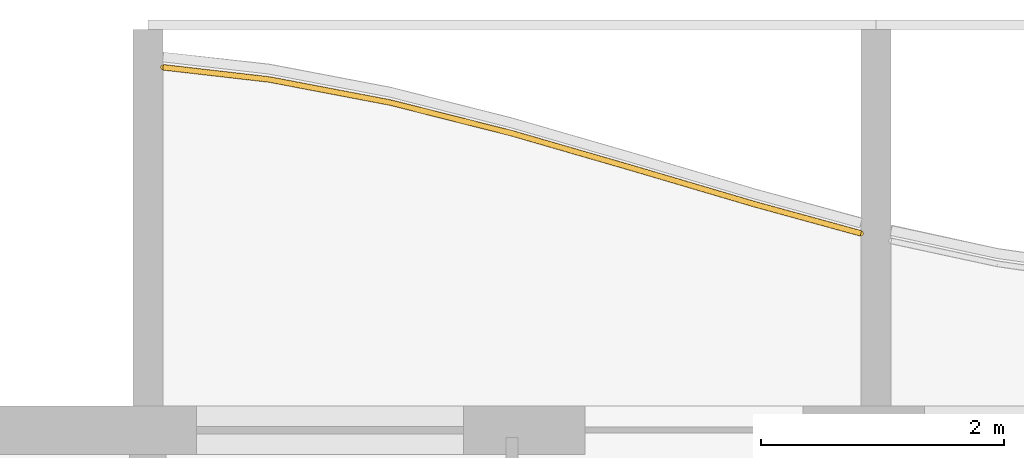
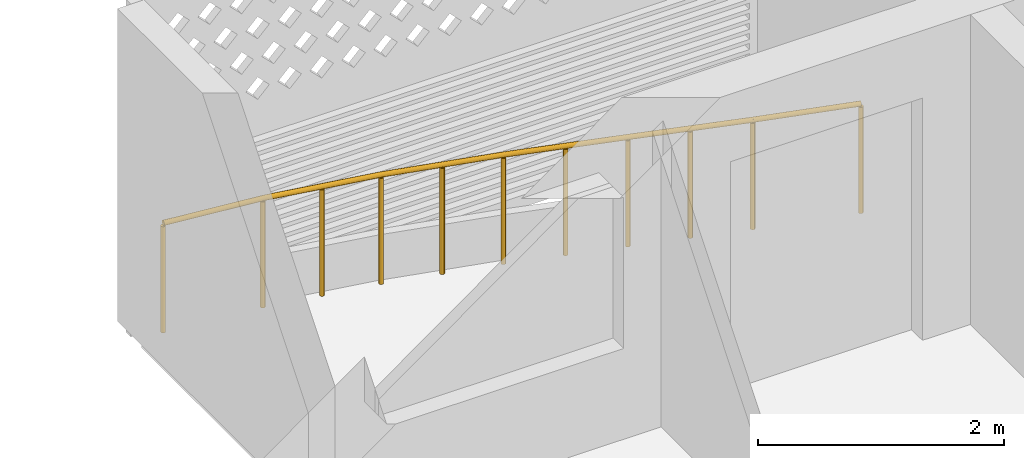
# One storey, part 16 of 31: 1 railing.
"""IFC4 building model written with IfcOpenShell, lengths in metres."""

from ifc_helpers import new_model, si_unit, direction, frame, origin, origin_2d, place, context, subcontext, project, spatial, circle, extrude, material, type_object, element, save


model = new_model("IFC4")

# Units and contexts
model_context = context("Model", 3, precision=1e-05, world=origin(), true_north=direction((0.0, 1.0)))
body_context = subcontext(model_context, "Body", "Model", "MODEL_VIEW")
ifc_project = project(units=[si_unit("LENGTHUNIT", "METRE"), si_unit("AREAUNIT", "SQUARE_METRE"), si_unit("VOLUMEUNIT", "CUBIC_METRE"), si_unit("PLANEANGLEUNIT", "RADIAN"), si_unit("MASSUNIT", "GRAM", prefix="KILO")], contexts=[model_context])

# Site, building, storey
site_placement = place(None, origin())
site = spatial("IfcSite", under=ifc_project, at=site_placement, CompositionType="ELEMENT")
building_placement = place(site_placement, origin())
building = spatial("IfcBuilding", under=site, at=building_placement, Name="Poui Terraces", CompositionType="ELEMENT")
storey_placement = place(building_placement, frame((0.0, 0.0, 145.5)))
storey = spatial("IfcBuildingStorey", under=building, at=storey_placement, Name="L40", CompositionType="ELEMENT", Elevation=145.5)

# Railing
ifc_material = material(Name="Painted steel fretwork", Category="steel")
railing_type = type_object("IfcRailingType", Name="BALCONY GUARD 1100", PredefinedType="GUARDRAIL", material=ifc_material)
railing_placement = place(storey_placement, frame((18.125, 45.39013671875, 0.0)))
element("IfcRailing", 1, at=railing_placement, inside=storey, type_object=railing_type, Name="BALCONY GUARD", PredefinedType="GUARDRAIL", context=body_context, shape_type="SweptSolid", body=[
    extrude(circle(Radius=0.02392578125, at=origin_2d()), frame((0.0, 0.0, 1.076171875), z_axis=(0.99348881845, -0.113929660821, 0.0), x_axis=(0.113929660821, 0.99348881845, 0.0)), (0.0, 0.0, 1.0), 0.880615234375),
    extrude(circle(Radius=0.02392578125, at=origin_2d()), frame((0.875, -0.100341796875, 1.076171875), z_axis=(0.982302864177, -0.187299447491, 0.0), x_axis=(0.187299447491, 0.982302864177, 0.0)), (0.0, 0.0, 1.0), 1.01806640625),
    extrude(circle(Radius=0.02392578125, at=origin_2d()), frame((1.875, -0.291015625, 1.076171875), z_axis=(0.969470524151, -0.245207876714, 0.0), x_axis=(0.245207876714, 0.969470524151, 0.0)), (0.0, 0.0, 1.0), 1.031494140625),
    extrude(circle(Radius=0.02392578125, at=origin_2d()), frame((2.875, -0.5439453125, 1.076171875), z_axis=(0.960607111561, -0.277910016406, 0.0), x_axis=(0.277910016406, 0.960607111561, 0.0)), (0.0, 0.0, 1.0), 1.041015625),
    extrude(circle(Radius=0.02392578125, at=origin_2d()), frame((3.875, -0.833251953125, 1.076171875), z_axis=(0.959092870386, -0.283091621166, 0.0), x_axis=(0.283091621166, 0.959092870386, 0.0)), (0.0, 0.0, 1.0), 1.042724609375),
    extrude(circle(Radius=0.02392578125, at=origin_2d()), frame((4.875, -1.12841796875, 1.076171875), z_axis=(0.964384039169, -0.264506001815, 0.0), x_axis=(0.264506001815, 0.964384039169, 0.0)), (0.0, 0.0, 1.0), 0.9072265625),
    extrude(circle(Radius=0.02099609375, at=origin_2d()), origin(), (0.0, 0.0, 1.0), 1.052001953125),
    extrude(circle(Radius=0.02099609375, at=origin_2d()), frame((0.875, -0.100341796875, 0.0)), (0.0, 0.0, 1.0), 1.052001953125),
    extrude(circle(Radius=0.02099609375, at=origin_2d()), frame((1.375, -0.19580078125, 0.0)), (0.0, 0.0, 1.0), 1.052001953125),
    extrude(circle(Radius=0.02099609375, at=origin_2d()), frame((1.875, -0.291015625, 0.0)), (0.0, 0.0, 1.0), 1.052001953125),
    extrude(circle(Radius=0.02099609375, at=origin_2d()), frame((2.375, -0.41748046875, 0.0)), (0.0, 0.0, 1.0), 1.052001953125),
    extrude(circle(Radius=0.02099609375, at=origin_2d()), frame((2.875, -0.5439453125, 0.0)), (0.0, 0.0, 1.0), 1.052001953125),
    extrude(circle(Radius=0.02099609375, at=origin_2d()), frame((3.375, -0.6884765625, 0.0)), (0.0, 0.0, 1.0), 1.052001953125),
    extrude(circle(Radius=0.02099609375, at=origin_2d()), frame((3.875, -0.833251953125, 0.0)), (0.0, 0.0, 1.0), 1.052001953125),
    extrude(circle(Radius=0.02099609375, at=origin_2d()), frame((4.375, -0.98095703125, 0.0)), (0.0, 0.0, 1.0), 1.052001953125),
    extrude(circle(Radius=0.02099609375, at=origin_2d()), frame((4.875, -1.12841796875, 0.0)), (0.0, 0.0, 1.0), 1.052001953125),
    extrude(circle(Radius=0.02099609375, at=origin_2d()), frame((5.75, -1.368408203125, 0.0)), (0.0, 0.0, 1.0), 1.052001953125),
])

save(model, "model.ifc")
